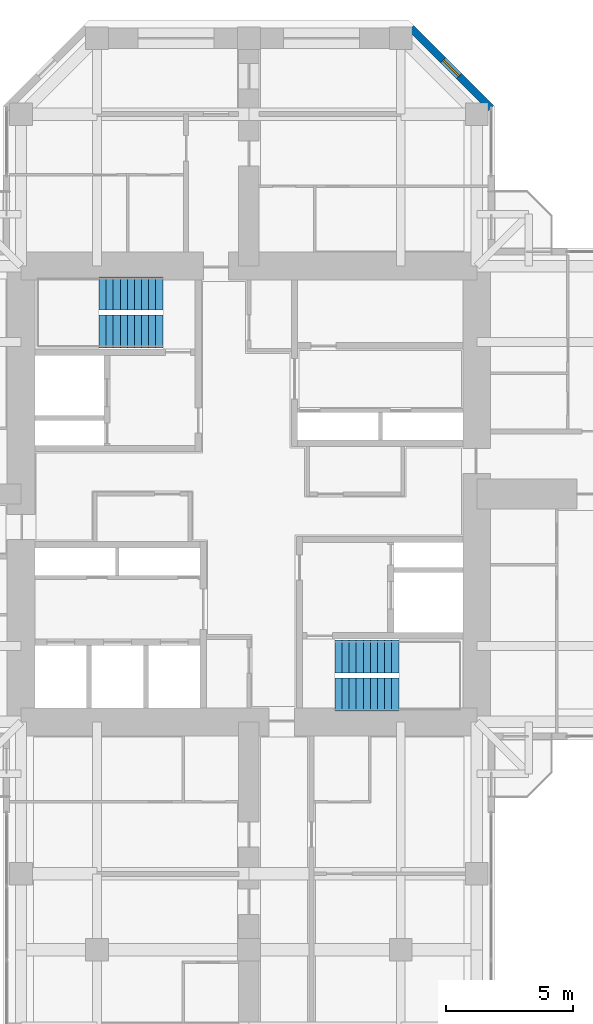
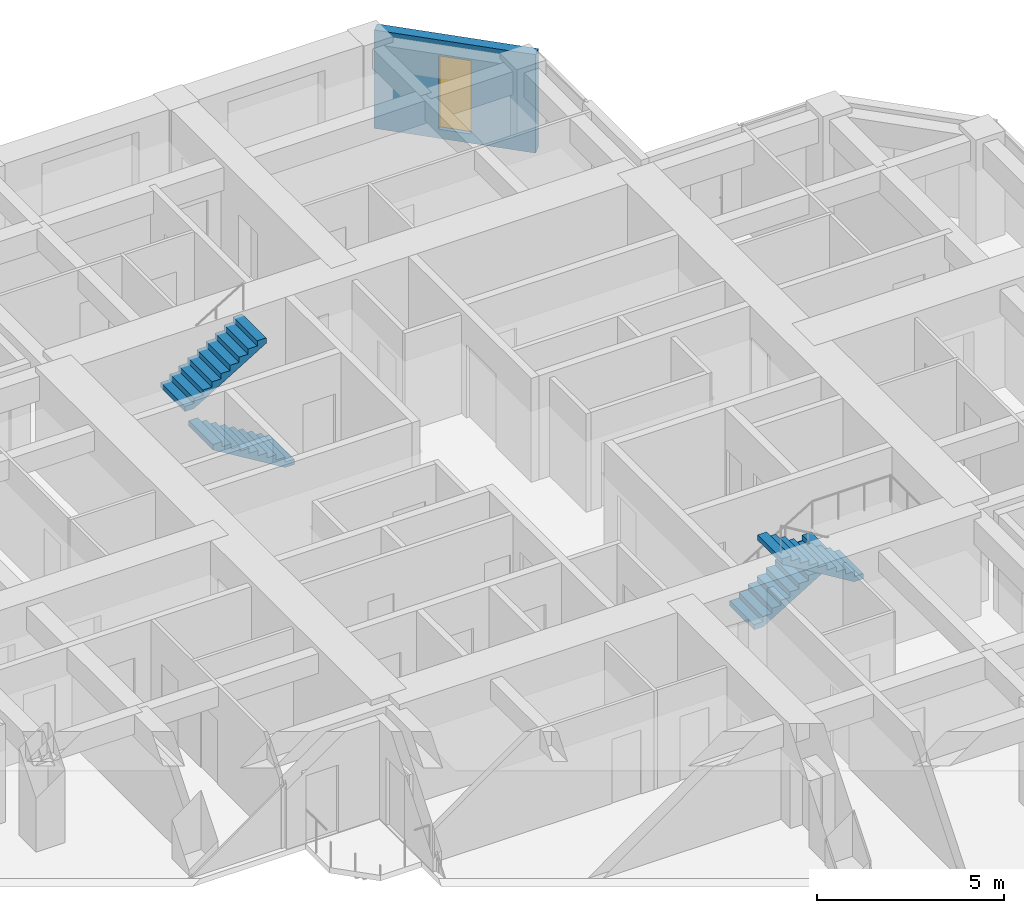
# One storey, part 13 of 14: 4 stair flights, 1 wall, 1 window, 1 opening, 2 elements without a shape of their own.
"""IFC4 building model written with IfcOpenShell, lengths in metres."""

from ifc_helpers import new_model, si_unit, direction, frame, frame_2d, origin, place, context, subcontext, project, spatial, polyline, rectangle, hollow_rectangle, outline, extrude, material, layer, layer_set, constituent, constituent_set, type_object, element, fill, aggregate, save


model = new_model("IFC4")

# Units and contexts
model_context = context("Model", 3, precision=1e-05, world=origin(), true_north=direction((0.0, 1.0)))
body_context = subcontext(model_context, "Body", "Model", "MODEL_VIEW")
ifc_project = project(units=[si_unit("LENGTHUNIT", "METRE"), si_unit("AREAUNIT", "SQUARE_METRE"), si_unit("VOLUMEUNIT", "CUBIC_METRE"), si_unit("PLANEANGLEUNIT", "RADIAN"), si_unit("MASSUNIT", "GRAM", prefix="KILO")], contexts=[model_context])

# Site, building, storey
site_placement = place(None, origin())
site = spatial("IfcSite", under=ifc_project, at=site_placement, CompositionType="ELEMENT")
building_placement = place(site_placement, origin())
building = spatial("IfcBuilding", under=site, at=building_placement, Name="Torre Cruceta", CompositionType="ELEMENT")
storey_placement = place(building_placement, frame((0.0, 0.0, 183.10009765625)))
storey = spatial("IfcBuildingStorey", under=building, at=storey_placement, Name="L45", CompositionType="ELEMENT", Elevation=183.10009765625)

# Wall, opening, window
ifc_material_1 = material(Name="Concrete G30 (fck 30 MPa)", Category="concrete")
ifc_layer = layer(ifc_material_1, 0.300048828125)
ifc_layer_set = layer_set([ifc_layer], Name="Concrete G30 (fck 30 MPa)")
wall_type = type_object("IfcWallType", Name="EXPOSED CONCRETE FACADE WALL 300", PredefinedType="SOLIDWALL", material=ifc_layer_set)
wall_placement = place(storey_placement, frame((9.570068359375, 15.236083984375, 0.0), z_axis=(0.0, 0.0, 1.0), x_axis=(-0.707134062067, 0.707079499254, 0.0)))
wall = element("IfcWall", 1, at=wall_placement, inside=storey, type_object=wall_type, Name="EW1 facade wall L45 N chamfer 06", PredefinedType="SOLIDWALL", context=body_context, shape_type="SweptSolid", body=[
    extrude(rectangle(XDim=4.474609375, YDim=0.300048828125, at=frame_2d((2.2373046875, 0.0))), origin(), (0.0, 0.0, 1.0), 3.219970703125),
])
opening_placement = place(wall_placement, frame((1.787109375, 0.0, 0.300048828125)))
opening = element("IfcOpeningElement", 2, at=opening_placement, cuts=wall, Name="Opening WN5", PredefinedType="OPENING", context=body_context, shape_type="SweptSolid", body=[
    extrude(rectangle(XDim=0.89990234375, YDim=2.39990234375, at=frame_2d((0.449951171875, 1.199951171875))), frame((0.0, 0.159912109375, 0.0), z_axis=(0.0, -1.0, 0.0), x_axis=(1.0, 0.0, 0.0)), (0.0, 0.0, 1.0), 0.320068359375),
])
ifc_material_2 = material(Name="Aluminium window frame", Category="aluminium")
ifc_constituent_1 = constituent(ifc_material_2, Name="Frame")
ifc_material_3 = material(Name="Laminated insulating glass unit, low-iron clear", Category="glass")
ifc_constituent_2 = constituent(ifc_material_3, Name="Glazing")
ifc_constituent_set = constituent_set(constituents=[ifc_constituent_1, ifc_constituent_2], Name="Aluminium window")
window_type = type_object("IfcWindowType", Name="CHAMFER SLOT WINDOW 900X2400", PartitioningType="SINGLE_PANEL", PredefinedType="WINDOW", material=ifc_constituent_set)
window_placement = place(opening_placement, origin())
window = element("IfcWindow", 3, at=window_placement, inside=storey, type_object=window_type, Name="WN5 L45 N 1", OverallHeight=2.39990234375, OverallWidth=0.89990234375, PartitioningType="SINGLE_PANEL", PredefinedType="WINDOW", context=body_context, shape_type="SweptSolid", body=[
    extrude(hollow_rectangle(XDim=0.89990234375, YDim=2.39990234375, WallThickness=0.06005859375, at=frame_2d((0.449951171875, 1.199951171875))), frame((0.0, 0.030029296875, 0.0), z_axis=(0.0, -1.0, 0.0), x_axis=(1.0, 0.0, 0.0)), (0.0, 0.0, 1.0), 0.06005859375),
    extrude(rectangle(XDim=0.77880859375, YDim=2.27880859375, at=frame_2d((0.449951171875, 1.199951171875))), frame((0.0, 0.030029296875, 0.0), z_axis=(0.0, -1.0, 0.0), x_axis=(1.0, 0.0, 0.0)), (0.0, 0.0, 1.0), 0.06005859375),
])
fill(opening, window)

# Stair, stair flights
ifc_material_4 = material(Name="Concrete G30 (fck 30 MPa)", Category="concrete")
stair_type = type_object("IfcStairType", Name="STAIR HALF-TURN 1300", PredefinedType="HALF_TURN_STAIR", material=ifc_material_4)
stair_1_placement = place(storey_placement, origin())
stair_1 = element("IfcStair", 4, at=stair_1_placement, inside=storey, type_object=stair_type, Name="Stair ST1 L45", PredefinedType="HALF_TURN_STAIR")
ifc_material_5 = material(Name="Concrete G30 (fck 30 MPa)", Category="concrete")
stair_flight_type = type_object("IfcStairFlightType", Name="STAIR FLIGHT 1300", PredefinedType="STRAIGHT", material=ifc_material_5)
stair_flight_1_placement = place(storey_placement, frame((-3.39990234375, 6.425048828125, 0.0), z_axis=(0.0, 0.0, 1.0), x_axis=(-1.0, 0.0, 0.0)))
stair_flight_1 = element("IfcStairFlight", 5, at=stair_flight_1_placement, type_object=stair_flight_type, Name="ST1 flight 1", NumberOfRisers=10, NumberOfTreads=9, PredefinedType="STRAIGHT", RiserHeight=0.17, TreadLength=0.28, context=body_context, shape_type="SweptSolid", body=[
    extrude(outline(polyline([(0.0, 0.0), (0.0, 0.169921875), (0.280029296875, 0.169921875), (0.280029296875, 0.340087890625), (0.56005859375, 0.340087890625), (0.56005859375, 0.510009765625), (0.840087890625, 0.510009765625), (0.840087890625, 0.679931640625), (1.1201171875, 0.679931640625), (1.1201171875, 0.85009765625), (1.39990234375, 0.85009765625), (1.39990234375, 1.02001953125), (1.679931640625, 1.02001953125), (1.679931640625, 1.18994140625), (1.9599609375, 1.18994140625), (1.9599609375, 1.360107421875), (2.239990234375, 1.360107421875), (2.239990234375, 1.530029296875), (2.52001953125, 1.530029296875), (2.52001953125, 1.699951171875), (2.52001953125, 1.354736328125), (0.288818359375, 0.0), (0.0, 0.0)])), frame((0.0, 0.64990234375, 0.0), z_axis=(0.0, -1.0, 0.0), x_axis=(1.0, 0.0, 0.0)), (0.0, 0.0, 1.0), 1.300048828125),
])
stair_flight_2_placement = place(storey_placement, frame((-5.919921875, 7.925048828125, 1.699951171875), z_axis=(0.0, 0.0, 1.0), x_axis=(1.0, 0.0, 0.0)))
stair_flight_2 = element("IfcStairFlight", 6, at=stair_flight_2_placement, type_object=stair_flight_type, Name="ST1 flight 2", NumberOfRisers=10, NumberOfTreads=9, PredefinedType="STRAIGHT", RiserHeight=0.17, TreadLength=0.28, context=body_context, shape_type="SweptSolid", body=[
    extrude(outline(polyline([(0.0, 0.0), (0.0, 0.169921875), (0.280029296875, 0.169921875), (0.280029296875, 0.340087890625), (0.56005859375, 0.340087890625), (0.56005859375, 0.510009765625), (0.840087890625, 0.510009765625), (0.840087890625, 0.679931640625), (1.1201171875, 0.679931640625), (1.1201171875, 0.85009765625), (1.39990234375, 0.85009765625), (1.39990234375, 1.02001953125), (1.679931640625, 1.02001953125), (1.679931640625, 1.18994140625), (1.9599609375, 1.18994140625), (1.9599609375, 1.360107421875), (2.239990234375, 1.360107421875), (2.239990234375, 1.530029296875), (2.52001953125, 1.530029296875), (2.52001953125, 1.699951171875), (2.52001953125, 1.354736328125), (0.288818359375, 0.0), (0.0, 0.0)])), frame((0.0, 0.64990234375, 0.0), z_axis=(0.0, -1.0, 0.0), x_axis=(1.0, 0.0, 0.0)), (0.0, 0.0, 1.0), 1.300048828125),
])
aggregate(stair_1, [stair_flight_1, stair_flight_2])

stair_2_placement = place(storey_placement, origin())
stair_2 = element("IfcStair", 7, at=stair_2_placement, inside=storey, type_object=stair_type, Name="Stair ST2 L45", PredefinedType="HALF_TURN_STAIR")
stair_flight_3_placement = place(storey_placement, frame((3.39990234375, -6.425048828125, 0.0), z_axis=(0.0, 0.0, 1.0), x_axis=(1.0, 0.0, 0.0)))
stair_flight_3 = element("IfcStairFlight", 8, at=stair_flight_3_placement, type_object=stair_flight_type, Name="ST2 flight 1", NumberOfRisers=10, NumberOfTreads=9, PredefinedType="STRAIGHT", RiserHeight=0.17, TreadLength=0.28, context=body_context, shape_type="SweptSolid", body=[
    extrude(outline(polyline([(0.0, 0.0), (0.0, 0.169921875), (0.280029296875, 0.169921875), (0.280029296875, 0.340087890625), (0.56005859375, 0.340087890625), (0.56005859375, 0.510009765625), (0.840087890625, 0.510009765625), (0.840087890625, 0.679931640625), (1.1201171875, 0.679931640625), (1.1201171875, 0.85009765625), (1.39990234375, 0.85009765625), (1.39990234375, 1.02001953125), (1.679931640625, 1.02001953125), (1.679931640625, 1.18994140625), (1.9599609375, 1.18994140625), (1.9599609375, 1.360107421875), (2.239990234375, 1.360107421875), (2.239990234375, 1.530029296875), (2.52001953125, 1.530029296875), (2.52001953125, 1.699951171875), (2.52001953125, 1.354736328125), (0.288818359375, 0.0), (0.0, 0.0)])), frame((0.0, 0.64990234375, 0.0), z_axis=(0.0, -1.0, 0.0), x_axis=(1.0, 0.0, 0.0)), (0.0, 0.0, 1.0), 1.300048828125),
])
stair_flight_4_placement = place(storey_placement, frame((5.919921875, -7.925048828125, 1.699951171875), z_axis=(0.0, 0.0, 1.0), x_axis=(-1.0, 0.0, 0.0)))
stair_flight_4 = element("IfcStairFlight", 9, at=stair_flight_4_placement, type_object=stair_flight_type, Name="ST2 flight 2", NumberOfRisers=10, NumberOfTreads=9, PredefinedType="STRAIGHT", RiserHeight=0.17, TreadLength=0.28, context=body_context, shape_type="SweptSolid", body=[
    extrude(outline(polyline([(0.0, 0.0), (0.0, 0.169921875), (0.280029296875, 0.169921875), (0.280029296875, 0.340087890625), (0.56005859375, 0.340087890625), (0.56005859375, 0.510009765625), (0.840087890625, 0.510009765625), (0.840087890625, 0.679931640625), (1.1201171875, 0.679931640625), (1.1201171875, 0.85009765625), (1.39990234375, 0.85009765625), (1.39990234375, 1.02001953125), (1.679931640625, 1.02001953125), (1.679931640625, 1.18994140625), (1.9599609375, 1.18994140625), (1.9599609375, 1.360107421875), (2.239990234375, 1.360107421875), (2.239990234375, 1.530029296875), (2.52001953125, 1.530029296875), (2.52001953125, 1.699951171875), (2.52001953125, 1.354736328125), (0.288818359375, 0.0), (0.0, 0.0)])), frame((0.0, 0.64990234375, 0.0), z_axis=(0.0, -1.0, 0.0), x_axis=(1.0, 0.0, 0.0)), (0.0, 0.0, 1.0), 1.300048828125),
])
aggregate(stair_2, [stair_flight_3, stair_flight_4])

save(model, "model.ifc")
